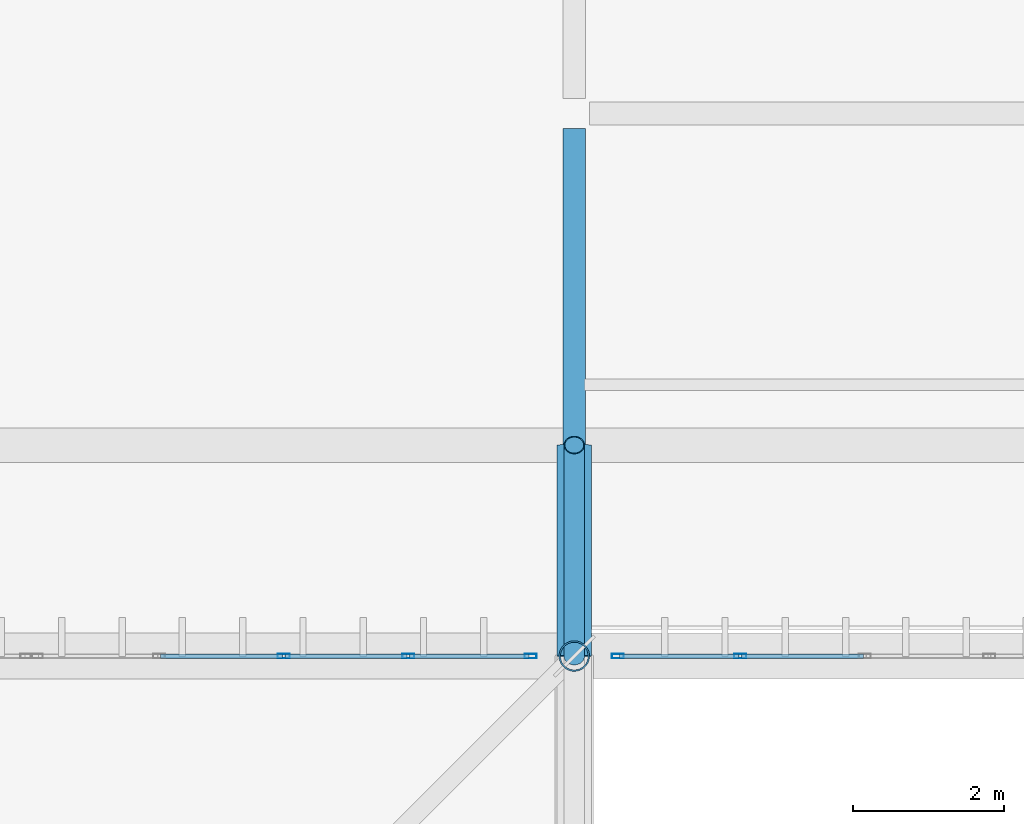
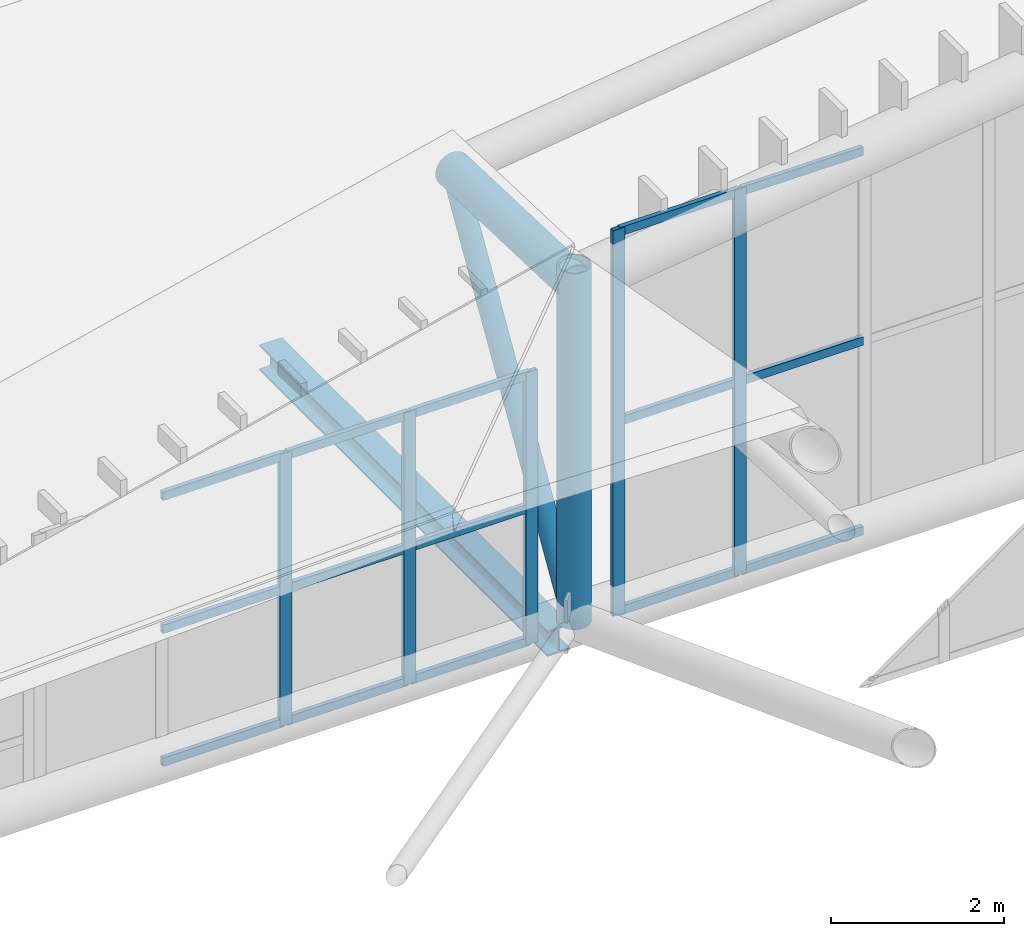
# One storey, part 231 of 397: 22 members, 2 beams, 2 elements without a shape of their own.
"""IFC4 building model written with IfcOpenShell, lengths in metres."""

from ifc_helpers import new_model, si_unit, direction, frame, origin, origin_2d, place, context, subcontext, project, spatial, hollow_rectangle, hollow_circle, i_section, extrude, material, material_profile, profile_set, type_object, element, aggregate, save


model = new_model("IFC4")

# Units and contexts
model_context = context("Model", 3, precision=1e-05, world=origin(), true_north=direction((0.0, 1.0)))
body_context = subcontext(model_context, "Body", "Model", "MODEL_VIEW")
ifc_project = project(units=[si_unit("LENGTHUNIT", "METRE"), si_unit("AREAUNIT", "SQUARE_METRE"), si_unit("VOLUMEUNIT", "CUBIC_METRE"), si_unit("PLANEANGLEUNIT", "RADIAN"), si_unit("MASSUNIT", "GRAM", prefix="KILO")], contexts=[model_context])

# Site, building, storey
site_placement = place(None, origin())
site = spatial("IfcSite", under=ifc_project, at=site_placement, CompositionType="ELEMENT")
building_placement = place(site_placement, origin())
building = spatial("IfcBuilding", under=site, at=building_placement, Name="Qandorah Velis Arena", CompositionType="ELEMENT")
storey_placement = place(building_placement, frame((0.0, 0.0, 27.5)))
storey = spatial("IfcBuildingStorey", under=building, at=storey_placement, Name="RF", CompositionType="ELEMENT", Elevation=27.5)

# Curtain wall, members
ifc_material_1 = material(Name="Solar-control low-E double glazing", Category="glass")
curtain_wall_type = type_object("IfcCurtainWallType", Name="ARC-CW-SYS02", PredefinedType="USERDEFINED", material=ifc_material_1)
curtain_wall_1_placement = place(storey_placement, origin())
curtain_wall_1 = element("IfcCurtainWall", 1, at=curtain_wall_1_placement, inside=storey, type_object=curtain_wall_type, Name="Unitised curtain wall CROWN-4-01S2", ObjectType="UNITISED CURTAIN WALL", PredefinedType="USERDEFINED")
ifc_material_2 = material(Name="Champagne-bronze anodized aluminium 6063-T6", Category="aluminium")
ifc_material_profile_1 = material_profile(ifc_material_2, hollow_rectangle(XDim=0.06005859375, YDim=0.159912109375, WallThickness=0.00341796875, at=origin_2d()), Name="ALU MULLION 60x160")
ifc_profile_set_1 = profile_set([ifc_material_profile_1], Name="Champagne-bronze anodized aluminium 6063-T6")
member_type_1 = type_object("IfcMemberType", Name="ARC-CWM-160", PredefinedType="MULLION", material=ifc_profile_set_1)
member_1_placement = place(storey_placement, frame((24.945068359375, 115.199951171875, -0.014892578125), z_axis=(0.0, 0.0, 1.0), x_axis=(0.0, 1.0, 0.0)))
member_1 = element("IfcMember", 2, at=member_1_placement, type_object=member_type_1, Name="CW02 mullion 3", PredefinedType="MULLION", context=body_context, shape_type="SweptSolid", body=[
    extrude(hollow_rectangle(XDim=0.06005859375, YDim=0.159912109375, WallThickness=0.00341796875, at=origin_2d()), origin(), (0.0, 0.0, 1.0), 3.83447265625),
])
member_2_placement = place(storey_placement, frame((26.597412109375, 115.199951171875, -0.014892578125), z_axis=(0.0, 0.0, 1.0), x_axis=(0.0, 1.0, 0.0)))
member_2 = element("IfcMember", 3, at=member_2_placement, type_object=member_type_1, Name="CW02 mullion 4", PredefinedType="MULLION", context=body_context, shape_type="SweptSolid", body=[
    extrude(hollow_rectangle(XDim=0.06005859375, YDim=0.159912109375, WallThickness=0.00341796875, at=origin_2d()), origin(), (0.0, 0.0, 1.0), 3.83447265625),
])
member_3_placement = place(storey_placement, frame((28.219970703125, 115.199951171875, -0.014892578125), z_axis=(0.0, 0.0, 1.0), x_axis=(0.0, 1.0, 0.0)))
member_3 = element("IfcMember", 4, at=member_3_placement, type_object=member_type_1, Name="CW02 mullion 5", PredefinedType="MULLION", context=body_context, shape_type="SweptSolid", body=[
    extrude(hollow_rectangle(XDim=0.06005859375, YDim=0.159912109375, WallThickness=0.00341796875, at=origin_2d()), origin(), (0.0, 0.0, 1.0), 3.83447265625),
])

curtain_wall_2_placement = place(storey_placement, origin())
curtain_wall_2 = element("IfcCurtainWall", 5, at=curtain_wall_2_placement, inside=storey, type_object=curtain_wall_type, Name="Unitised curtain wall CROWN-4-02S1", ObjectType="UNITISED CURTAIN WALL", PredefinedType="USERDEFINED")
member_4_placement = place(storey_placement, frame((29.3798828125, 115.199951171875, -0.014892578125), z_axis=(0.0, 0.0, 1.0), x_axis=(0.0, 1.0, 0.0)))
member_4 = element("IfcMember", 6, at=member_4_placement, type_object=member_type_1, Name="CW02 mullion 1", PredefinedType="MULLION", context=body_context, shape_type="SweptSolid", body=[
    extrude(hollow_rectangle(XDim=0.06005859375, YDim=0.159912109375, WallThickness=0.00341796875, at=origin_2d()), origin(), (0.0, 0.0, 1.0), 5.430908203125),
])
member_5_placement = place(storey_placement, frame((31.00244140625, 115.199951171875, -0.014892578125), z_axis=(0.0, 0.0, 1.0), x_axis=(0.0, 1.0, 0.0)))
member_5 = element("IfcMember", 7, at=member_5_placement, type_object=member_type_1, Name="CW02 mullion 2", PredefinedType="MULLION", context=body_context, shape_type="SweptSolid", body=[
    extrude(hollow_rectangle(XDim=0.06005859375, YDim=0.159912109375, WallThickness=0.00341796875, at=origin_2d()), origin(), (0.0, 0.0, 1.0), 5.430908203125),
])

# Member
ifc_material_profile_2 = material_profile(ifc_material_2, hollow_rectangle(XDim=0.06005859375, YDim=0.1201171875, WallThickness=0.0029296875, at=origin_2d()), Name="ALU TRANSOM 60x120")
ifc_profile_set_2 = profile_set([ifc_material_profile_2], Name="Champagne-bronze anodized aluminium 6063-T6")
member_type_2 = type_object("IfcMemberType", Name="ARC-CWT-120", PredefinedType="USERDEFINED", material=ifc_profile_set_2)
member_6_placement = place(storey_placement, frame((23.310546875, 115.199951171875, 0.030029296875), z_axis=(1.0, 0.0, 0.0), x_axis=(0.0, 1.0, 0.0)))
member_6 = element("IfcMember", 8, at=member_6_placement, type_object=member_type_2, Name="CW02 transom 2.1", ObjectType="TRANSOM", PredefinedType="USERDEFINED", context=body_context, shape_type="SweptSolid", body=[
    extrude(hollow_rectangle(XDim=0.06005859375, YDim=0.1201171875, WallThickness=0.0029296875, at=origin_2d()), origin(), (0.0, 0.0, 1.0), 1.616455078125),
])

member_7_placement = place(storey_placement, frame((23.310546875, 115.199951171875, 1.90234375), z_axis=(1.0, 0.0, 0.0), x_axis=(0.0, 1.0, 0.0)))
member_7 = element("IfcMember", 9, at=member_7_placement, type_object=member_type_2, Name="CW02 transom 2.2", ObjectType="TRANSOM", PredefinedType="USERDEFINED", context=body_context, shape_type="SweptSolid", body=[
    extrude(hollow_rectangle(XDim=0.06005859375, YDim=0.1201171875, WallThickness=0.0029296875, at=origin_2d()), origin(), (0.0, 0.0, 1.0), 1.616455078125),
])

member_8_placement = place(storey_placement, frame((23.310546875, 115.199951171875, 3.774658203125), z_axis=(1.0, 0.0, 0.0), x_axis=(0.0, 1.0, 0.0)))
member_8 = element("IfcMember", 10, at=member_8_placement, type_object=member_type_2, Name="CW02 transom 2.3", ObjectType="TRANSOM", PredefinedType="USERDEFINED", context=body_context, shape_type="SweptSolid", body=[
    extrude(hollow_rectangle(XDim=0.06005859375, YDim=0.1201171875, WallThickness=0.0029296875, at=origin_2d()), origin(), (0.0, 0.0, 1.0), 1.616455078125),
])

member_9_placement = place(storey_placement, frame((24.962890625, 115.199951171875, 0.030029296875), z_axis=(1.0, 0.0, 0.0), x_axis=(0.0, 1.0, 0.0)))
member_9 = element("IfcMember", 11, at=member_9_placement, type_object=member_type_2, Name="CW02 transom 3.1", ObjectType="TRANSOM", PredefinedType="USERDEFINED", context=body_context, shape_type="SweptSolid", body=[
    extrude(hollow_rectangle(XDim=0.06005859375, YDim=0.1201171875, WallThickness=0.0029296875, at=origin_2d()), origin(), (0.0, 0.0, 1.0), 1.61669921875),
])

member_10_placement = place(storey_placement, frame((24.962890625, 115.199951171875, 1.90234375), z_axis=(1.0, 0.0, 0.0), x_axis=(0.0, 1.0, 0.0)))
member_10 = element("IfcMember", 12, at=member_10_placement, type_object=member_type_2, Name="CW02 transom 3.2", ObjectType="TRANSOM", PredefinedType="USERDEFINED", context=body_context, shape_type="SweptSolid", body=[
    extrude(hollow_rectangle(XDim=0.06005859375, YDim=0.1201171875, WallThickness=0.0029296875, at=origin_2d()), origin(), (0.0, 0.0, 1.0), 1.61669921875),
])

member_11_placement = place(storey_placement, frame((24.962890625, 115.199951171875, 3.774658203125), z_axis=(1.0, 0.0, 0.0), x_axis=(0.0, 1.0, 0.0)))
member_11 = element("IfcMember", 13, at=member_11_placement, type_object=member_type_2, Name="CW02 transom 3.3", ObjectType="TRANSOM", PredefinedType="USERDEFINED", context=body_context, shape_type="SweptSolid", body=[
    extrude(hollow_rectangle(XDim=0.06005859375, YDim=0.1201171875, WallThickness=0.0029296875, at=origin_2d()), origin(), (0.0, 0.0, 1.0), 1.61669921875),
])

member_12_placement = place(storey_placement, frame((26.615478515625, 115.199951171875, 0.030029296875), z_axis=(1.0, 0.0, 0.0), x_axis=(0.0, 1.0, 0.0)))
member_12 = element("IfcMember", 14, at=member_12_placement, type_object=member_type_2, Name="CW02 transom 4.1", ObjectType="TRANSOM", PredefinedType="USERDEFINED", context=body_context, shape_type="SweptSolid", body=[
    extrude(hollow_rectangle(XDim=0.06005859375, YDim=0.1201171875, WallThickness=0.0029296875, at=origin_2d()), origin(), (0.0, 0.0, 1.0), 1.58642578125),
])

member_13_placement = place(storey_placement, frame((26.615478515625, 115.199951171875, 1.90234375), z_axis=(1.0, 0.0, 0.0), x_axis=(0.0, 1.0, 0.0)))
member_13 = element("IfcMember", 15, at=member_13_placement, type_object=member_type_2, Name="CW02 transom 4.2", ObjectType="TRANSOM", PredefinedType="USERDEFINED", context=body_context, shape_type="SweptSolid", body=[
    extrude(hollow_rectangle(XDim=0.06005859375, YDim=0.1201171875, WallThickness=0.0029296875, at=origin_2d()), origin(), (0.0, 0.0, 1.0), 1.58642578125),
])

member_14_placement = place(storey_placement, frame((26.615478515625, 115.199951171875, 3.774658203125), z_axis=(1.0, 0.0, 0.0), x_axis=(0.0, 1.0, 0.0)))
member_14 = element("IfcMember", 16, at=member_14_placement, type_object=member_type_2, Name="CW02 transom 4.3", ObjectType="TRANSOM", PredefinedType="USERDEFINED", context=body_context, shape_type="SweptSolid", body=[
    extrude(hollow_rectangle(XDim=0.06005859375, YDim=0.1201171875, WallThickness=0.0029296875, at=origin_2d()), origin(), (0.0, 0.0, 1.0), 1.58642578125),
])

aggregate(curtain_wall_1, [member_1, member_2, member_3, member_6, member_7, member_8, member_9, member_10, member_11, member_12, member_13, member_14])

member_15_placement = place(storey_placement, frame((29.39794921875, 115.199951171875, 0.030029296875), z_axis=(1.0, 0.0, 0.0), x_axis=(0.0, 1.0, 0.0)))
member_15 = element("IfcMember", 17, at=member_15_placement, type_object=member_type_2, Name="CW02 transom 1.1", ObjectType="TRANSOM", PredefinedType="USERDEFINED", context=body_context, shape_type="SweptSolid", body=[
    extrude(hollow_rectangle(XDim=0.06005859375, YDim=0.1201171875, WallThickness=0.0029296875, at=origin_2d()), origin(), (0.0, 0.0, 1.0), 1.586669921875),
])

member_16_placement = place(storey_placement, frame((29.39794921875, 115.199951171875, 2.700439453125), z_axis=(1.0, 0.0, 0.0), x_axis=(0.0, 1.0, 0.0)))
member_16 = element("IfcMember", 18, at=member_16_placement, type_object=member_type_2, Name="CW02 transom 1.2", ObjectType="TRANSOM", PredefinedType="USERDEFINED", context=body_context, shape_type="SweptSolid", body=[
    extrude(hollow_rectangle(XDim=0.06005859375, YDim=0.1201171875, WallThickness=0.0029296875, at=origin_2d()), origin(), (0.0, 0.0, 1.0), 1.586669921875),
])

member_17_placement = place(storey_placement, frame((29.39794921875, 115.199951171875, 5.370849609375), z_axis=(1.0, 0.0, 0.0), x_axis=(0.0, 1.0, 0.0)))
member_17 = element("IfcMember", 19, at=member_17_placement, type_object=member_type_2, Name="CW02 transom 1.3", ObjectType="TRANSOM", PredefinedType="USERDEFINED", context=body_context, shape_type="SweptSolid", body=[
    extrude(hollow_rectangle(XDim=0.06005859375, YDim=0.1201171875, WallThickness=0.0029296875, at=origin_2d()), origin(), (0.0, 0.0, 1.0), 1.586669921875),
])

member_18_placement = place(storey_placement, frame((31.0205078125, 115.199951171875, 0.030029296875), z_axis=(1.0, 0.0, 0.0), x_axis=(0.0, 1.0, 0.0)))
member_18 = element("IfcMember", 20, at=member_18_placement, type_object=member_type_2, Name="CW02 transom 2.1", ObjectType="TRANSOM", PredefinedType="USERDEFINED", context=body_context, shape_type="SweptSolid", body=[
    extrude(hollow_rectangle(XDim=0.06005859375, YDim=0.1201171875, WallThickness=0.0029296875, at=origin_2d()), origin(), (0.0, 0.0, 1.0), 1.616455078125),
])

member_19_placement = place(storey_placement, frame((31.0205078125, 115.199951171875, 2.700439453125), z_axis=(1.0, 0.0, 0.0), x_axis=(0.0, 1.0, 0.0)))
member_19 = element("IfcMember", 21, at=member_19_placement, type_object=member_type_2, Name="CW02 transom 2.2", ObjectType="TRANSOM", PredefinedType="USERDEFINED", context=body_context, shape_type="SweptSolid", body=[
    extrude(hollow_rectangle(XDim=0.06005859375, YDim=0.1201171875, WallThickness=0.0029296875, at=origin_2d()), origin(), (0.0, 0.0, 1.0), 1.616455078125),
])

member_20_placement = place(storey_placement, frame((31.0205078125, 115.199951171875, 5.370849609375), z_axis=(1.0, 0.0, 0.0), x_axis=(0.0, 1.0, 0.0)))
member_20 = element("IfcMember", 22, at=member_20_placement, type_object=member_type_2, Name="CW02 transom 2.3", ObjectType="TRANSOM", PredefinedType="USERDEFINED", context=body_context, shape_type="SweptSolid", body=[
    extrude(hollow_rectangle(XDim=0.06005859375, YDim=0.1201171875, WallThickness=0.0029296875, at=origin_2d()), origin(), (0.0, 0.0, 1.0), 1.616455078125),
])

aggregate(curtain_wall_2, [member_4, member_5, member_15, member_16, member_17, member_18, member_19, member_20])

# Beams
ifc_material_3 = material(Name="Steel S355", Category="steel")
ifc_material_profile_3 = material_profile(ifc_material_3, i_section(OverallWidth=0.300048828125, OverallDepth=0.360107421875, WebThickness=0.012451171875, FlangeThickness=0.0224609375, FilletRadius=0.027099609375, at=origin_2d()), Name="HEB 360")
ifc_profile_set_3 = profile_set([ifc_material_profile_3], Name="Steel S355")
beam_type_1 = type_object("IfcBeamType", Name="STR-BM-HEB360", PredefinedType="BEAM", material=ifc_profile_set_3)
beam_1_placement = place(storey_placement, frame((28.800048828125, 115.550048828125, -0.39990234375), z_axis=(0.0, 1.0, 0.0), x_axis=(-1.0, 0.0, 0.0)))
element("IfcBeam", 23, at=beam_1_placement, inside=storey, type_object=beam_type_1, Name="Primary floor girder RF Y-089", PredefinedType="BEAM", context=body_context, shape_type="SweptSolid", body=[
    extrude(i_section(OverallWidth=0.300048828125, OverallDepth=0.360107421875, WebThickness=0.012451171875, FlangeThickness=0.0224609375, FilletRadius=0.027099609375, at=origin_2d()), origin(), (0.0, 0.0, 1.0), 6.64990234375),
])
ifc_material_profile_4 = material_profile(ifc_material_3, hollow_circle(Radius=0.228515625, WallThickness=0.01611328125, at=origin_2d()), Name="CHS 457x16")
ifc_profile_set_4 = profile_set([ifc_material_profile_4], Name="Steel S355")
beam_type_2 = type_object("IfcBeamType", Name="STR-SFC-CHS457X16", PredefinedType="USERDEFINED", material=ifc_profile_set_4)
beam_2_placement = place(storey_placement, frame((28.800048828125, 115.199951171875, 4.851806640625), z_axis=(0.0, 0.999364739976, -0.035638693753), x_axis=(-1.0, 0.0, 0.0)))
element("IfcBeam", 24, at=beam_2_placement, inside=storey, type_object=beam_type_2, Name="Space frame eave outrigger N-1", ObjectType="ROOF TRUSS", PredefinedType="USERDEFINED", context=body_context, shape_type="SweptSolid", body=[
    extrude(hollow_circle(Radius=0.228515625, WallThickness=0.01611328125, at=origin_2d()), origin(), (0.0, 0.0, 1.0), 2.8017578125),
])

# Members
ifc_material_profile_5 = material_profile(ifc_material_3, hollow_circle(Radius=0.136474609375, WallThickness=0.012451171875, at=origin_2d()), Name="CHS 273x12.5")
ifc_profile_set_5 = profile_set([ifc_material_profile_5], Name="Steel S355")
member_type_3 = type_object("IfcMemberType", Name="STR-SFD-CHS273X12", PredefinedType="STRUT", material=ifc_profile_set_5)
member_21_placement = place(storey_placement, frame((28.800048828125, 115.199951171875, 0.10009765625), z_axis=(0.0, 0.51570533473, 0.85676601691), x_axis=(-1.0, 0.0, 0.0)))
element("IfcMember", 25, at=member_21_placement, inside=storey, type_object=member_type_3, Name="Space frame eave raking strut N-1", PredefinedType="STRUT", context=body_context, shape_type="SweptSolid", body=[
    extrude(hollow_circle(Radius=0.136474609375, WallThickness=0.012451171875, at=origin_2d()), origin(), (0.0, 0.0, 1.0), 5.429443359375),
])
ifc_material_4 = material(Name="Steel S460", Category="steel")
ifc_material_profile_6 = material_profile(ifc_material_4, hollow_circle(Radius=0.203125, WallThickness=0.02001953125, at=origin_2d()), Name="CHS 406.4x20")
ifc_profile_set_6 = profile_set([ifc_material_profile_6], Name="Steel S460")
member_type_4 = type_object("IfcMemberType", Name="STR-SFD-CHS406X20", PredefinedType="STRUT", material=ifc_profile_set_6)
member_22_placement = place(storey_placement, frame((28.800048828125, 115.199951171875, 0.10009765625), z_axis=(0.0, 0.0, 1.0), x_axis=(1.0, 0.0, 0.0)))
element("IfcMember", 26, at=member_22_placement, inside=storey, type_object=member_type_4, Name="Space frame roof vertical post 1.7", PredefinedType="STRUT", context=body_context, shape_type="SweptSolid", body=[
    extrude(hollow_circle(Radius=0.203125, WallThickness=0.02001953125, at=origin_2d()), origin(), (0.0, 0.0, 1.0), 5.01171875),
])

save(model, "model.ifc")
